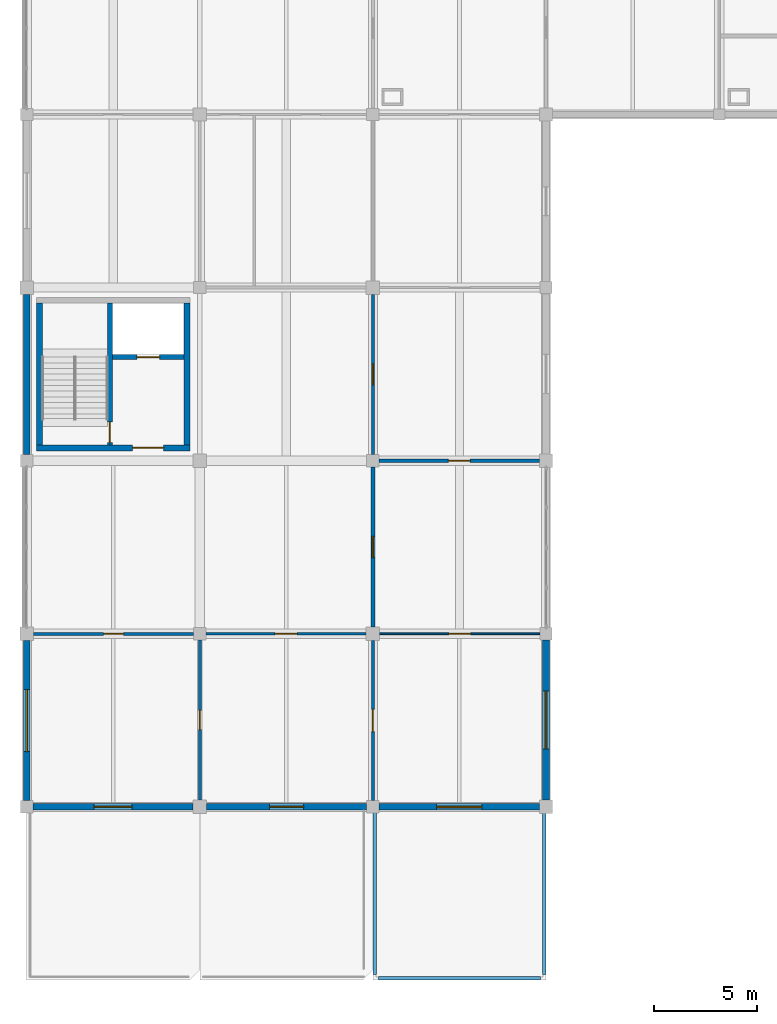
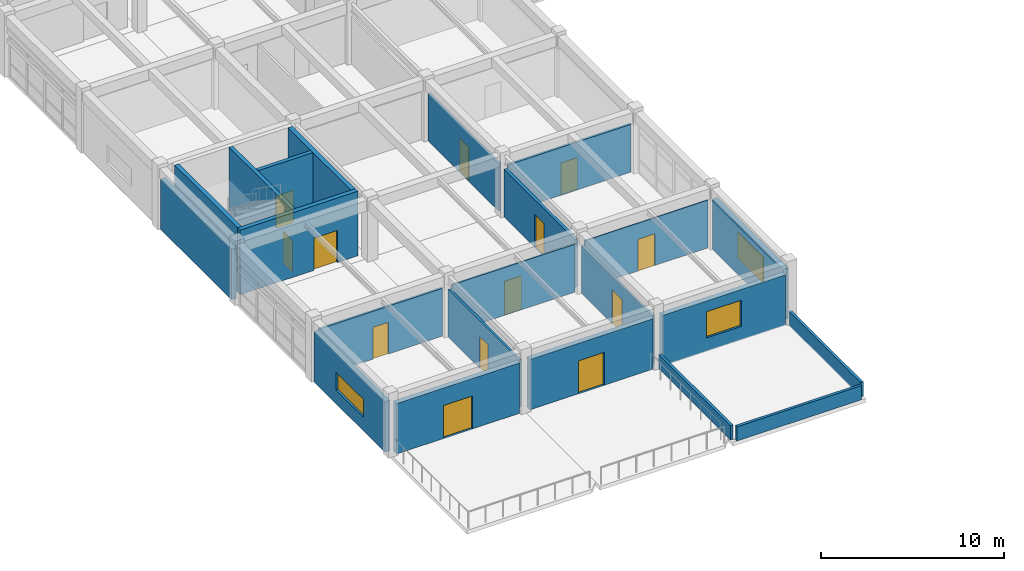
# One storey, part 60 of 74: 22 walls, 13 doors, 3 windows, 16 openings.
"""IFC4 building model written with IfcOpenShell, lengths in metres."""

from ifc_helpers import new_model, si_unit, direction, frame, frame_2d, origin, place, context, subcontext, project, spatial, rectangle, extrude, material, layer, layer_set, type_object, element, fill, save


model = new_model("IFC4")

# Units and contexts
model_context = context("Model", 3, precision=1e-05, world=origin(), true_north=direction((0.0, 1.0)))
body_context = subcontext(model_context, "Body", "Model", "MODEL_VIEW")
ifc_project = project(units=[si_unit("LENGTHUNIT", "METRE"), si_unit("AREAUNIT", "SQUARE_METRE"), si_unit("VOLUMEUNIT", "CUBIC_METRE"), si_unit("PLANEANGLEUNIT", "RADIAN"), si_unit("MASSUNIT", "GRAM", prefix="KILO")], contexts=[model_context])

# Site, building, storey
site_placement = place(None, origin())
site = spatial("IfcSite", under=ifc_project, at=site_placement, CompositionType="ELEMENT")
building_placement = place(site_placement, origin())
building = spatial("IfcBuilding", under=site, at=building_placement, Name="Porcellanite Civic Hall", CompositionType="ELEMENT")
storey_placement = place(building_placement, frame((0.0, 0.0, 14.760009765625)))
storey = spatial("IfcBuildingStorey", under=building, at=storey_placement, Name="L03", CompositionType="ELEMENT", Elevation=14.760009765625)

# Wall, opening, door
ifc_material_1 = material(Name="Concrete N40 (40 MPa)", Category="concrete")
ifc_layer_1 = layer(ifc_material_1, 0.239990234375)
ifc_layer_set_1 = layer_set([ifc_layer_1], Name="Concrete N40 (40 MPa)")
wall_type_1 = type_object("IfcWallType", Name="CW-SH240", PredefinedType="SHEAR", material=ifc_layer_set_1)
wall_1_placement = place(storey_placement, frame((12.43994140625, 34.360107421875, 0.0), z_axis=(0.0, 0.0, 1.0), x_axis=(0.0, 1.0, 0.0)))
wall_1 = element("IfcWall", 1, at=wall_1_placement, inside=storey, type_object=wall_type_1, Name="Core divider C1 L03", PredefinedType="SHEAR", context=body_context, shape_type="SweptSolid", body=[
    extrude(rectangle(XDim=6.8798828125, YDim=0.239990234375, at=frame_2d((3.43994140625, 0.0))), origin(), (0.0, 0.0, 1.0), 4.320068359375),
])
opening_1_placement = place(wall_1_placement, frame((0.1201171875, 0.0, 0.0)))
opening_1 = element("IfcOpeningElement", 2, at=opening_1_placement, cuts=wall_1, Name="Opening FD-C1-L03-ST", PredefinedType="OPENING", context=body_context, shape_type="SweptSolid", body=[
    extrude(rectangle(XDim=1.0, YDim=2.14990234375, at=frame_2d((0.5, 1.074951171875))), frame((0.0, 0.1201171875, 0.0), z_axis=(0.0, -1.0, 0.0), x_axis=(1.0, 0.0, 0.0)), (0.0, 0.0, 1.0), 0.239990234375),
])
ifc_material_2 = material(Name="Fire-rated solid-core hardwood timber", Category="wood")
door_type_1 = type_object("IfcDoorType", Name="DR-FD100", OperationType="NOTDEFINED", PredefinedType="DOOR", material=ifc_material_2)
door_1_placement = place(opening_1_placement, origin())
door_1 = element("IfcDoor", 3, at=door_1_placement, inside=storey, type_object=door_type_1, Name="Fire stair door FD-C1-L03-ST", OperationType="SINGLE_SWING_RIGHT", OverallHeight=2.14990234375, OverallWidth=1.0, PredefinedType="DOOR", context=body_context, shape_type="SweptSolid", body=[
    extrude(rectangle(XDim=1.0, YDim=2.14990234375, at=frame_2d((0.5, 1.074951171875))), frame((0.0, 0.02490234375, 0.0), z_axis=(0.0, -1.0, 0.0), x_axis=(1.0, 0.0, 0.0)), (0.0, 0.0, 1.0), 0.050048828125),
])
fill(opening_1, door_1)

wall_2_placement = place(storey_placement, frame((12.56005859375, 38.6201171875, 0.0), z_axis=(0.0, 0.0, 1.0), x_axis=(1.0, 0.0, 0.0)))
wall_2 = element("IfcWall", 4, at=wall_2_placement, inside=storey, type_object=wall_type_1, Name="Lift shaft wall C1 L03", PredefinedType="SHEAR", context=body_context, shape_type="SweptSolid", body=[
    extrude(rectangle(XDim=3.47998046875, YDim=0.239990234375, at=frame_2d((1.739990234375, 0.0))), origin(), (0.0, 0.0, 1.0), 4.320068359375),
])
opening_2_placement = place(wall_2_placement, frame((1.18994140625, 0.0, 0.0)))
opening_2 = element("IfcOpeningElement", 5, at=opening_2_placement, cuts=wall_2, Name="Opening LD-03", PredefinedType="OPENING", context=body_context, shape_type="SweptSolid", body=[
    extrude(rectangle(XDim=1.10009765625, YDim=2.14990234375, at=frame_2d((0.550048828125, 1.074951171875))), frame((0.0, 0.1201171875, 0.0), z_axis=(0.0, -1.0, 0.0), x_axis=(1.0, 0.0, 0.0)), (0.0, 0.0, 1.0), 0.239990234375),
])
ifc_material_3 = material(Name="Brushed stainless steel 316", Category="steel")
door_type_2 = type_object("IfcDoorType", Name="DR-LD110", OperationType="DOUBLE_DOOR_SLIDING", PredefinedType="DOOR", material=ifc_material_3)
door_2_placement = place(opening_2_placement, origin())
door_2 = element("IfcDoor", 6, at=door_2_placement, inside=storey, type_object=door_type_2, Name="Lift landing sliding door LD-03 L03", OperationType="DOUBLE_DOOR_SLIDING", OverallHeight=2.14990234375, OverallWidth=1.10009765625, PredefinedType="DOOR", context=body_context, shape_type="SweptSolid", body=[
    extrude(rectangle(XDim=1.10009765625, YDim=2.14990234375, at=frame_2d((0.550048828125, 1.074951171875))), frame((0.0, 0.02490234375, 0.0), z_axis=(0.0, -1.0, 0.0), x_axis=(1.0, 0.0, 0.0)), (0.0, 0.0, 1.0), 0.050048828125),
])
fill(opening_2, door_2)

ifc_material_4 = material(Name="Concrete N40 (40 MPa)", Category="concrete")
ifc_layer_2 = layer(ifc_material_4, 0.280029296875)
ifc_layer_set_2 = layer_set([ifc_layer_2], Name="Concrete N40 (40 MPa)")
wall_type_2 = type_object("IfcWallType", Name="CW-SH280", PredefinedType="SHEAR", material=ifc_layer_set_2)
wall_3_placement = place(storey_placement, frame((16.320068359375, 34.219970703125, 0.0), z_axis=(0.0, 0.0, 1.0), x_axis=(-1.0, 0.0, 0.0)))
wall_3 = element("IfcWall", 7, at=wall_3_placement, inside=storey, type_object=wall_type_2, Name="Core wall C1 L03 S", PredefinedType="SHEAR", context=body_context, shape_type="SweptSolid", body=[
    extrude(rectangle(XDim=7.440185546875, YDim=0.280029296875, at=frame_2d((3.72021484375, 0.0))), origin(), (0.0, 0.0, 1.0), 4.320068359375),
])
opening_3_placement = place(wall_3_placement, frame((1.280029296875, 0.0, 0.0)))
opening_3 = element("IfcOpeningElement", 8, at=opening_3_placement, cuts=wall_3, Name="Opening FD-C1-L03-LB", PredefinedType="OPENING", context=body_context, shape_type="SweptSolid", body=[
    extrude(rectangle(XDim=1.5, YDim=2.14990234375, at=frame_2d((0.75, 1.074951171875))), frame((0.0, 0.14013671875, 0.0), z_axis=(0.0, -1.0, 0.0), x_axis=(1.0, 0.0, 0.0)), (0.0, 0.0, 1.0), 0.280029296875),
])
ifc_material_5 = material(Name="Fire-rated steel and Georgian wired glass", Category="steel")
door_type_3 = type_object("IfcDoorType", Name="DR-FD150", OperationType="DOUBLE_DOOR_SINGLE_SWING", PredefinedType="DOOR", material=ifc_material_5)
door_3_placement = place(opening_3_placement, origin())
door_3 = element("IfcDoor", 9, at=door_3_placement, inside=storey, type_object=door_type_3, Name="Fire lobby double door FD-C1-L03-LB", OperationType="DOUBLE_DOOR_SINGLE_SWING", OverallHeight=2.14990234375, OverallWidth=1.5, PredefinedType="DOOR", context=body_context, shape_type="SweptSolid", body=[
    extrude(rectangle(XDim=1.5, YDim=2.14990234375, at=frame_2d((0.75, 1.074951171875))), frame((0.0, 0.02490234375, 0.0), z_axis=(0.0, -1.0, 0.0), x_axis=(1.0, 0.0, 0.0)), (0.0, 0.0, 1.0), 0.050048828125),
])
fill(opening_3, door_3)

# Walls
for number, where, z_axis, x_axis, name in (
    (10, (9.02001953125, 34.360107421875, 0.0), (0.0, 0.0, 1.0), (0.0, 1.0, 0.0), "Core wall C1 L03 W"),
    (11, (16.179931640625, 41.239990234375, 0.0), (0.0, 0.0, 1.0), (0.0, -1.0, 0.0), "Core wall C1 L03 E"),
):
    element("IfcWall", number, at=place(storey_placement, frame(where, z_axis=z_axis, x_axis=x_axis)), inside=storey, type_object=wall_type_2, Name=name, PredefinedType="SHEAR", context=body_context, shape_type="SweptSolid", body=[
        extrude(rectangle(XDim=6.8798828125, YDim=0.280029296875, at=frame_2d((3.43994140625, 0.0))), origin(), (0.0, 0.0, 1.0), 4.320068359375),
    ])

# Wall, opening, door
ifc_material_6 = material(Name="Precast concrete N40 (40 MPa)", Category="concrete")
ifc_layer_3 = layer(ifc_material_6, 0.320068359375)
ifc_layer_set_3 = layer_set([ifc_layer_3], Name="Precast concrete N40 (40 MPa)")
wall_type_3 = type_object("IfcWallType", Name="EW-COM320", PredefinedType="SOLIDWALL", material=ifc_layer_set_3)
wall_4_placement = place(storey_placement, frame((16.47412109375, 16.800048828125, 0.0), z_axis=(0.0, 0.0, 1.0), x_axis=(-1.0, 0.0, 0.0)))
wall_4 = element("IfcWall", 12, at=wall_4_placement, inside=storey, type_object=wall_type_3, Name="Exterior wall L03 S 2-3", PredefinedType="SOLIDWALL", context=body_context, shape_type="SweptSolid", body=[
    extrude(rectangle(XDim=7.773193359375, YDim=0.320068359375, at=frame_2d((3.88671875, 0.0))), origin(), (0.0, 0.0, 1.0), 3.369873046875),
])
opening_4_placement = place(wall_4_placement, frame((2.9619140625, 0.0, 0.0)))
opening_4 = element("IfcOpeningElement", 13, at=opening_4_placement, cuts=wall_4, Name="Opening TD-09", PredefinedType="OPENING", context=body_context, shape_type="SweptSolid", body=[
    extrude(rectangle(XDim=1.85009765625, YDim=2.199951171875, at=frame_2d((0.925048828125, 1.10009765625))), frame((0.0, 0.16015625, 0.0), z_axis=(0.0, -1.0, 0.0), x_axis=(1.0, 0.0, 0.0)), (0.0, 0.0, 1.0), 0.320068359375),
])
ifc_material_7 = material(Name="Anodised aluminium and laminated safety glass", Category="aluminium")
door_type_4 = type_object("IfcDoorType", Name="DR-TER185", OperationType="DOUBLE_DOOR_SINGLE_SWING", PredefinedType="DOOR", material=ifc_material_7)
door_4_placement = place(opening_4_placement, origin())
door_4 = element("IfcDoor", 14, at=door_4_placement, inside=storey, type_object=door_type_4, Name="Civic terrace door TD-09", OperationType="DOUBLE_DOOR_SINGLE_SWING", OverallHeight=2.199951171875, OverallWidth=1.85009765625, PredefinedType="DOOR", context=body_context, shape_type="SweptSolid", body=[
    extrude(rectangle(XDim=1.85009765625, YDim=2.199951171875, at=frame_2d((0.925048828125, 1.10009765625))), frame((0.0, 0.02490234375, 0.0), z_axis=(0.0, -1.0, 0.0), x_axis=(1.0, 0.0, 0.0)), (0.0, 0.0, 1.0), 0.050048828125),
])
fill(opening_4, door_4)

# Wall, opening, window
wall_5_placement = place(storey_placement, frame((8.39990234375, 17.10107421875, 0.0), z_axis=(0.0, 0.0, 1.0), x_axis=(0.0, 1.0, 0.0)))
wall_5 = element("IfcWall", 15, at=wall_5_placement, inside=storey, type_object=wall_type_3, Name="Exterior wall L03 W 2-3", PredefinedType="SOLIDWALL", context=body_context, shape_type="SweptSolid", body=[
    extrude(rectangle(XDim=7.77294921875, YDim=0.320068359375, at=frame_2d((3.886474609375, 0.0))), origin(), (0.0, 0.0, 1.0), 3.369873046875),
])
opening_5_placement = place(wall_5_placement, frame((2.385986328125, 0.0, 0.89990234375)))
opening_5 = element("IfcOpeningElement", 16, at=opening_5_placement, cuts=wall_5, Name="Opening W09", PredefinedType="OPENING", context=body_context, shape_type="SweptSolid", body=[
    extrude(rectangle(XDim=3.0, YDim=1.199951171875, at=frame_2d((1.5, 0.60009765625))), frame((0.0, 0.16015625, 0.0), z_axis=(0.0, -1.0, 0.0), x_axis=(1.0, 0.0, 0.0)), (0.0, 0.0, 1.0), 0.320068359375),
])
ifc_material_8 = material(Name="Cyclone laminated low-E glazing in anodised aluminium frame", Category="aluminium")
window_type_1 = type_object("IfcWindowType", Name="WN-09", PartitioningType="TRIPLE_PANEL_HORIZONTAL", PredefinedType="WINDOW", material=ifc_material_8)
window_1_placement = place(opening_5_placement, origin())
window_1 = element("IfcWindow", 17, at=window_1_placement, inside=storey, type_object=window_type_1, Name="Window W09 L03 W 2-3", OverallHeight=1.199951171875, OverallWidth=3.0, PartitioningType="SINGLE_PANEL", PredefinedType="WINDOW", context=body_context, shape_type="SweptSolid", body=[
    extrude(rectangle(XDim=3.0, YDim=1.199951171875, at=frame_2d((1.5, 0.60009765625))), frame((0.0, 0.030029296875, 0.0), z_axis=(0.0, -1.0, 0.0), x_axis=(1.0, 0.0, 0.0)), (0.0, 0.0, 1.0), 0.06005859375),
])
fill(opening_5, window_1)

# Wall
wall_6_placement = place(storey_placement, frame((8.39990234375, 33.90087890625, 0.0), z_axis=(0.0, 0.0, 1.0), x_axis=(0.0, 1.0, 0.0)))
element("IfcWall", 18, at=wall_6_placement, inside=storey, type_object=wall_type_3, Name="Exterior wall L03 W 2-5", PredefinedType="SOLIDWALL", context=body_context, shape_type="SweptSolid", body=[
    extrude(rectangle(XDim=7.773193359375, YDim=0.320068359375, at=frame_2d((3.88671875, 0.0))), origin(), (0.0, 0.0, 1.0), 3.369873046875),
])

# Wall, opening, door
wall_7_placement = place(storey_placement, frame((24.89892578125, 16.800048828125, 0.0), z_axis=(0.0, 0.0, 1.0), x_axis=(-1.0, 0.0, 0.0)))
wall_7 = element("IfcWall", 19, at=wall_7_placement, inside=storey, type_object=wall_type_3, Name="Exterior wall L03 S 3-3", PredefinedType="SOLIDWALL", context=body_context, shape_type="SweptSolid", body=[
    extrude(rectangle(XDim=7.77294921875, YDim=0.320068359375, at=frame_2d((3.886474609375, 0.0))), origin(), (0.0, 0.0, 1.0), 3.369873046875),
])
opening_6_placement = place(wall_7_placement, frame((3.06103515625, 0.0, 0.0)))
opening_6 = element("IfcOpeningElement", 20, at=opening_6_placement, cuts=wall_7, Name="Opening TD-10", PredefinedType="OPENING", context=body_context, shape_type="SweptSolid", body=[
    extrude(rectangle(XDim=1.64990234375, YDim=2.199951171875, at=frame_2d((0.824951171875, 1.10009765625))), frame((0.0, 0.16015625, 0.0), z_axis=(0.0, -1.0, 0.0), x_axis=(1.0, 0.0, 0.0)), (0.0, 0.0, 1.0), 0.320068359375),
])
ifc_material_9 = material(Name="Anodised aluminium and laminated safety glass", Category="aluminium")
door_type_5 = type_object("IfcDoorType", Name="DR-TER165", OperationType="DOUBLE_DOOR_SINGLE_SWING", PredefinedType="DOOR", material=ifc_material_9)
door_5_placement = place(opening_6_placement, origin())
door_5 = element("IfcDoor", 21, at=door_5_placement, inside=storey, type_object=door_type_5, Name="Civic terrace door TD-10", OperationType="DOUBLE_DOOR_SINGLE_SWING", OverallHeight=2.199951171875, OverallWidth=1.64990234375, PredefinedType="DOOR", context=body_context, shape_type="SweptSolid", body=[
    extrude(rectangle(XDim=1.64990234375, YDim=2.199951171875, at=frame_2d((0.824951171875, 1.10009765625))), frame((0.0, 0.02490234375, 0.0), z_axis=(0.0, -1.0, 0.0), x_axis=(1.0, 0.0, 0.0)), (0.0, 0.0, 1.0), 0.050048828125),
])
fill(opening_6, door_5)

# Wall, opening, window
wall_8_placement = place(storey_placement, frame((33.27392578125, 16.800048828125, 0.0), z_axis=(0.0, 0.0, 1.0), x_axis=(-1.0, 0.0, 0.0)))
wall_8 = element("IfcWall", 22, at=wall_8_placement, inside=storey, type_object=wall_type_3, Name="Exterior wall L03 S 4-3", PredefinedType="SOLIDWALL", context=body_context, shape_type="SweptSolid", body=[
    extrude(rectangle(XDim=7.77294921875, YDim=0.320068359375, at=frame_2d((3.886474609375, 0.0))), origin(), (0.0, 0.0, 1.0), 3.369873046875),
])
opening_7_placement = place(wall_8_placement, frame((2.785888671875, 0.0, 0.89990234375)))
opening_7 = element("IfcOpeningElement", 23, at=opening_7_placement, cuts=wall_8, Name="Opening W13", PredefinedType="OPENING", context=body_context, shape_type="SweptSolid", body=[
    extrude(rectangle(XDim=2.199951171875, YDim=1.75, at=frame_2d((1.10009765625, 0.875))), frame((0.0, 0.16015625, 0.0), z_axis=(0.0, -1.0, 0.0), x_axis=(1.0, 0.0, 0.0)), (0.0, 0.0, 1.0), 0.320068359375),
])
ifc_material_10 = material(Name="Cyclone laminated low-E glazing in anodised aluminium frame", Category="aluminium")
window_type_2 = type_object("IfcWindowType", Name="WN-13", PartitioningType="DOUBLE_PANEL_VERTICAL", PredefinedType="WINDOW", material=ifc_material_10)
window_2_placement = place(opening_7_placement, origin())
window_2 = element("IfcWindow", 24, at=window_2_placement, inside=storey, type_object=window_type_2, Name="Window W13 L03 S 4-3", OverallHeight=1.75, OverallWidth=2.199951171875, PartitioningType="SINGLE_PANEL", PredefinedType="WINDOW", context=body_context, shape_type="SweptSolid", body=[
    extrude(rectangle(XDim=2.199951171875, YDim=1.75, at=frame_2d((1.10009765625, 0.875))), frame((0.0, 0.030029296875, 0.0), z_axis=(0.0, -1.0, 0.0), x_axis=(1.0, 0.0, 0.0)), (0.0, 0.0, 1.0), 0.06005859375),
])
fill(opening_7, window_2)

wall_9_placement = place(storey_placement, frame((33.60009765625, 24.89892578125, 0.0), z_axis=(0.0, 0.0, 1.0), x_axis=(0.0, -1.0, 0.0)))
wall_9 = element("IfcWall", 25, at=wall_9_placement, inside=storey, type_object=wall_type_3, Name="Exterior wall L03 E 4-3", PredefinedType="SOLIDWALL", context=body_context, shape_type="SweptSolid", body=[
    extrude(rectangle(XDim=7.77294921875, YDim=0.320068359375, at=frame_2d((3.886474609375, 0.0))), origin(), (0.0, 0.0, 1.0), 3.369873046875),
])
opening_8_placement = place(wall_9_placement, frame((2.486083984375, 0.0, 0.89990234375)))
opening_8 = element("IfcOpeningElement", 26, at=opening_8_placement, cuts=wall_9, Name="Opening W14", PredefinedType="OPENING", context=body_context, shape_type="SweptSolid", body=[
    extrude(rectangle(XDim=2.800048828125, YDim=1.75, at=frame_2d((1.39990234375, 0.875))), frame((0.0, 0.16015625, 0.0), z_axis=(0.0, -1.0, 0.0), x_axis=(1.0, 0.0, 0.0)), (0.0, 0.0, 1.0), 0.320068359375),
])
ifc_material_11 = material(Name="Cyclone laminated low-E glazing in anodised aluminium frame", Category="aluminium")
window_type_3 = type_object("IfcWindowType", Name="WN-14", PartitioningType="TRIPLE_PANEL_VERTICAL", PredefinedType="WINDOW", material=ifc_material_11)
window_3_placement = place(opening_8_placement, origin())
window_3 = element("IfcWindow", 27, at=window_3_placement, inside=storey, type_object=window_type_3, Name="Window W14 L03 E 4-3", OverallHeight=1.75, OverallWidth=2.800048828125, PartitioningType="SINGLE_PANEL", PredefinedType="WINDOW", context=body_context, shape_type="SweptSolid", body=[
    extrude(rectangle(XDim=2.800048828125, YDim=1.75, at=frame_2d((1.39990234375, 0.875))), frame((0.0, 0.030029296875, 0.0), z_axis=(0.0, -1.0, 0.0), x_axis=(1.0, 0.0, 0.0)), (0.0, 0.0, 1.0), 0.06005859375),
])
fill(opening_8, window_3)

# Wall, opening, door
ifc_material_12 = material(Name="Insulated acoustic plasterboard on light-gauge steel studs", Category="steel")
ifc_layer_4 = layer(ifc_material_12, 0.087890625)
ifc_layer_set_4 = layer_set([ifc_layer_4], Name="Insulated acoustic plasterboard on light-gauge steel studs")
wall_type_4 = type_object("IfcWallType", Name="IW-PT088", PredefinedType="PARTITIONING", material=ifc_layer_set_4)
wall_10_placement = place(storey_placement, frame((25.527099609375, 25.199951171875, 0.0), z_axis=(0.0, 0.0, 1.0), x_axis=(1.0, 0.0, 0.0)))
wall_10 = element("IfcWall", 28, at=wall_10_placement, inside=storey, type_object=wall_type_4, Name="Partition L03 H 4-3", PredefinedType="PARTITIONING", context=body_context, shape_type="SweptSolid", body=[
    extrude(rectangle(XDim=7.77099609375, YDim=0.087890625, at=frame_2d((3.885498046875, 0.0))), origin(), (0.0, 0.0, 1.0), 3.18994140625),
])
opening_9_placement = place(wall_10_placement, frame((3.361083984375, 0.0, 0.0)))
opening_9 = element("IfcOpeningElement", 29, at=opening_9_placement, cuts=wall_10, Name="Opening D-L03-438", PredefinedType="OPENING", context=body_context, shape_type="SweptSolid", body=[
    extrude(rectangle(XDim=1.050048828125, YDim=2.1201171875, at=frame_2d((0.52490234375, 1.06005859375))), frame((0.0, 0.0439453125, 0.0), z_axis=(0.0, -1.0, 0.0), x_axis=(1.0, 0.0, 0.0)), (0.0, 0.0, 1.0), 0.087890625),
])
ifc_material_13 = material(Name="Solid-core spotted-gum timber", Category="wood")
door_type_6 = type_object("IfcDoorType", Name="DR-RM105", OperationType="NOTDEFINED", PredefinedType="DOOR", material=ifc_material_13)
door_6_placement = place(opening_9_placement, origin())
door_6 = element("IfcDoor", 30, at=door_6_placement, inside=storey, type_object=door_type_6, Name="Interior door D-L03-438", OperationType="SINGLE_SWING_RIGHT", OverallHeight=2.1201171875, OverallWidth=1.050048828125, PredefinedType="DOOR", context=body_context, shape_type="SweptSolid", body=[
    extrude(rectangle(XDim=1.050048828125, YDim=2.1201171875, at=frame_2d((0.52490234375, 1.06005859375))), frame((0.0, 0.02490234375, 0.0), z_axis=(0.0, -1.0, 0.0), x_axis=(1.0, 0.0, 0.0)), (0.0, 0.0, 1.0), 0.050048828125),
])
fill(opening_9, door_6)

ifc_material_14 = material(Name="Insulated acoustic plasterboard on light-gauge steel studs", Category="steel")
ifc_layer_5 = layer(ifc_material_14, 0.114990234375)
ifc_layer_set_5 = layer_set([ifc_layer_5], Name="Insulated acoustic plasterboard on light-gauge steel studs")
wall_type_5 = type_object("IfcWallType", Name="IW-PT115", PredefinedType="PARTITIONING", material=ifc_layer_set_5)
wall_11_placement = place(storey_placement, frame((17.10205078125, 25.199951171875, 0.0), z_axis=(0.0, 0.0, 1.0), x_axis=(1.0, 0.0, 0.0)))
wall_11 = element("IfcWall", 31, at=wall_11_placement, inside=storey, type_object=wall_type_5, Name="Partition L03 H 3-3", PredefinedType="PARTITIONING", context=body_context, shape_type="SweptSolid", body=[
    extrude(rectangle(XDim=7.77099609375, YDim=0.114990234375, at=frame_2d((3.885498046875, 0.0))), origin(), (0.0, 0.0, 1.0), 3.18994140625),
])
opening_10_placement = place(wall_11_placement, frame((3.344970703125, 0.0, 0.0)))
opening_10 = element("IfcOpeningElement", 32, at=opening_10_placement, cuts=wall_11, Name="Opening D-L03-416", PredefinedType="OPENING", context=body_context, shape_type="SweptSolid", body=[
    extrude(rectangle(XDim=1.080078125, YDim=2.25, at=frame_2d((0.5400390625, 1.125))), frame((0.0, 0.0576171875, 0.0), z_axis=(0.0, -1.0, 0.0), x_axis=(1.0, 0.0, 0.0)), (0.0, 0.0, 1.0), 0.114990234375),
])
ifc_material_15 = material(Name="Solid-core spotted-gum timber", Category="wood")
door_type_7 = type_object("IfcDoorType", Name="DR-RM108", OperationType="NOTDEFINED", PredefinedType="DOOR", material=ifc_material_15)
door_7_placement = place(opening_10_placement, origin())
door_7 = element("IfcDoor", 33, at=door_7_placement, inside=storey, type_object=door_type_7, Name="Interior door D-L03-416", OperationType="SINGLE_SWING_RIGHT", OverallHeight=2.25, OverallWidth=1.080078125, PredefinedType="DOOR", context=body_context, shape_type="SweptSolid", body=[
    extrude(rectangle(XDim=1.080078125, YDim=2.25, at=frame_2d((0.5400390625, 1.125))), frame((0.0, 0.02490234375, 0.0), z_axis=(0.0, -1.0, 0.0), x_axis=(1.0, 0.0, 0.0)), (0.0, 0.0, 1.0), 0.050048828125),
])
fill(opening_10, door_7)

ifc_material_16 = material(Name="Insulated acoustic plasterboard on light-gauge steel studs", Category="steel")
ifc_layer_6 = layer(ifc_material_16, 0.135009765625)
ifc_layer_set_6 = layer_set([ifc_layer_6], Name="Insulated acoustic plasterboard on light-gauge steel studs")
wall_type_6 = type_object("IfcWallType", Name="IW-PT135", PredefinedType="PARTITIONING", material=ifc_layer_set_6)
wall_12_placement = place(storey_placement, frame((25.199951171875, 33.902099609375, 0.0), z_axis=(0.0, 0.0, 1.0), x_axis=(0.0, 1.0, 0.0)))
wall_12 = element("IfcWall", 34, at=wall_12_placement, inside=storey, type_object=wall_type_6, Name="Partition L03 V 3-5", PredefinedType="PARTITIONING", context=body_context, shape_type="SweptSolid", body=[
    extrude(rectangle(XDim=7.77099609375, YDim=0.135009765625, at=frame_2d((3.885498046875, 0.0))), origin(), (0.0, 0.0, 1.0), 3.18994140625),
])
opening_11_placement = place(wall_12_placement, frame((3.375, 0.0, 0.0)))
opening_11 = element("IfcOpeningElement", 35, at=opening_11_placement, cuts=wall_12, Name="Opening D-L03-432", PredefinedType="OPENING", context=body_context, shape_type="SweptSolid", body=[
    extrude(rectangle(XDim=1.02001953125, YDim=2.199951171875, at=frame_2d((0.510009765625, 1.10009765625))), frame((0.0, 0.0673828125, 0.0), z_axis=(0.0, -1.0, 0.0), x_axis=(1.0, 0.0, 0.0)), (0.0, 0.0, 1.0), 0.135009765625),
])
ifc_material_17 = material(Name="Solid-core spotted-gum timber", Category="wood")
door_type_8 = type_object("IfcDoorType", Name="DR-RM102", OperationType="NOTDEFINED", PredefinedType="DOOR", material=ifc_material_17)
door_8_placement = place(opening_11_placement, origin())
door_8 = element("IfcDoor", 36, at=door_8_placement, inside=storey, type_object=door_type_8, Name="Interior door D-L03-432", OperationType="SINGLE_SWING_RIGHT", OverallHeight=2.199951171875, OverallWidth=1.02001953125, PredefinedType="DOOR", context=body_context, shape_type="SweptSolid", body=[
    extrude(rectangle(XDim=1.02001953125, YDim=2.199951171875, at=frame_2d((0.510009765625, 1.10009765625))), frame((0.0, 0.02490234375, 0.0), z_axis=(0.0, -1.0, 0.0), x_axis=(1.0, 0.0, 0.0)), (0.0, 0.0, 1.0), 0.050048828125),
])
fill(opening_11, door_8)

ifc_material_18 = material(Name="Insulated acoustic plasterboard on light-gauge steel studs", Category="steel")
ifc_layer_7 = layer(ifc_material_18, 0.14501953125)
ifc_layer_set_7 = layer_set([ifc_layer_7], Name="Insulated acoustic plasterboard on light-gauge steel studs")
wall_type_7 = type_object("IfcWallType", Name="IW-PT145", PredefinedType="PARTITIONING", material=ifc_layer_set_7)
wall_13_placement = place(storey_placement, frame((8.72705078125, 25.199951171875, 0.0), z_axis=(0.0, 0.0, 1.0), x_axis=(1.0, 0.0, 0.0)))
wall_13 = element("IfcWall", 37, at=wall_13_placement, inside=storey, type_object=wall_type_7, Name="Partition L03 H 2-3", PredefinedType="PARTITIONING", context=body_context, shape_type="SweptSolid", body=[
    extrude(rectangle(XDim=7.77099609375, YDim=0.14501953125, at=frame_2d((3.885498046875, 0.0))), origin(), (0.0, 0.0, 1.0), 3.18994140625),
])
opening_12_placement = place(wall_13_placement, frame((3.40087890625, 0.0, 0.0)))
opening_12 = element("IfcOpeningElement", 38, at=opening_12_placement, cuts=wall_13, Name="Opening D-L03-414", PredefinedType="OPENING", context=body_context, shape_type="SweptSolid", body=[
    extrude(rectangle(XDim=0.969970703125, YDim=2.1201171875, at=frame_2d((0.48486328125, 1.06005859375))), frame((0.0, 0.072509765625, 0.0), z_axis=(0.0, -1.0, 0.0), x_axis=(1.0, 0.0, 0.0)), (0.0, 0.0, 1.0), 0.14501953125),
])
ifc_material_19 = material(Name="Solid-core spotted-gum timber", Category="wood")
door_type_9 = type_object("IfcDoorType", Name="DR-RM097", OperationType="NOTDEFINED", PredefinedType="DOOR", material=ifc_material_19)
door_9_placement = place(opening_12_placement, origin())
door_9 = element("IfcDoor", 39, at=door_9_placement, inside=storey, type_object=door_type_9, Name="Interior door D-L03-414", OperationType="SINGLE_SWING_RIGHT", OverallHeight=2.1201171875, OverallWidth=0.969970703125, PredefinedType="DOOR", context=body_context, shape_type="SweptSolid", body=[
    extrude(rectangle(XDim=0.969970703125, YDim=2.1201171875, at=frame_2d((0.48486328125, 1.06005859375))), frame((0.0, 0.02490234375, 0.0), z_axis=(0.0, -1.0, 0.0), x_axis=(1.0, 0.0, 0.0)), (0.0, 0.0, 1.0), 0.050048828125),
])
fill(opening_12, door_9)

wall_14_placement = place(storey_placement, frame((16.800048828125, 17.126953125, 0.0), z_axis=(0.0, 0.0, 1.0), x_axis=(0.0, 1.0, 0.0)))
wall_14 = element("IfcWall", 40, at=wall_14_placement, inside=storey, type_object=wall_type_7, Name="Partition L03 V 2-3", PredefinedType="PARTITIONING", context=body_context, shape_type="SweptSolid", body=[
    extrude(rectangle(XDim=7.77099609375, YDim=0.14501953125, at=frame_2d((3.885498046875, 0.0))), origin(), (0.0, 0.0, 1.0), 3.18994140625),
])
opening_13_placement = place(wall_14_placement, frame((3.4208984375, 0.0, 0.0)))
opening_13 = element("IfcOpeningElement", 41, at=opening_13_placement, cuts=wall_14, Name="Opening D-L03-454", PredefinedType="OPENING", context=body_context, shape_type="SweptSolid", body=[
    extrude(rectangle(XDim=0.929931640625, YDim=2.1201171875, at=frame_2d((0.46484375, 1.06005859375))), frame((0.0, 0.072509765625, 0.0), z_axis=(0.0, -1.0, 0.0), x_axis=(1.0, 0.0, 0.0)), (0.0, 0.0, 1.0), 0.14501953125),
])
ifc_material_20 = material(Name="Solid-core spotted-gum timber", Category="wood")
door_type_10 = type_object("IfcDoorType", Name="DR-RM093", OperationType="NOTDEFINED", PredefinedType="DOOR", material=ifc_material_20)
door_10_placement = place(opening_13_placement, origin())
door_10 = element("IfcDoor", 42, at=door_10_placement, inside=storey, type_object=door_type_10, Name="Interior door D-L03-454", OperationType="SINGLE_SWING_RIGHT", OverallHeight=2.1201171875, OverallWidth=0.929931640625, PredefinedType="DOOR", context=body_context, shape_type="SweptSolid", body=[
    extrude(rectangle(XDim=0.929931640625, YDim=2.1201171875, at=frame_2d((0.46484375, 1.06005859375))), frame((0.0, 0.02490234375, 0.0), z_axis=(0.0, -1.0, 0.0), x_axis=(1.0, 0.0, 0.0)), (0.0, 0.0, 1.0), 0.050048828125),
])
fill(opening_13, door_10)

ifc_material_21 = material(Name="Insulated acoustic plasterboard on light-gauge steel studs", Category="steel")
ifc_layer_8 = layer(ifc_material_21, 0.155029296875)
ifc_layer_set_8 = layer_set([ifc_layer_8], Name="Insulated acoustic plasterboard on light-gauge steel studs")
wall_type_8 = type_object("IfcWallType", Name="IW-PT155", PredefinedType="PARTITIONING", material=ifc_layer_set_8)
wall_15_placement = place(storey_placement, frame((25.501953125, 33.60009765625, 0.0), z_axis=(0.0, 0.0, 1.0), x_axis=(1.0, 0.0, 0.0)))
wall_15 = element("IfcWall", 43, at=wall_15_placement, inside=storey, type_object=wall_type_8, Name="Partition L03 H 4-4", PredefinedType="PARTITIONING", context=body_context, shape_type="SweptSolid", body=[
    extrude(rectangle(XDim=7.77099609375, YDim=0.155029296875, at=frame_2d((3.885498046875, 0.0))), origin(), (0.0, 0.0, 1.0), 3.18994140625),
])
opening_14_placement = place(wall_15_placement, frame((3.361083984375, 0.0, 0.0)))
opening_14 = element("IfcOpeningElement", 44, at=opening_14_placement, cuts=wall_15, Name="Opening D-L03-451", PredefinedType="OPENING", context=body_context, shape_type="SweptSolid", body=[
    extrude(rectangle(XDim=1.050048828125, YDim=2.1201171875, at=frame_2d((0.52490234375, 1.06005859375))), frame((0.0, 0.07763671875, 0.0), z_axis=(0.0, -1.0, 0.0), x_axis=(1.0, 0.0, 0.0)), (0.0, 0.0, 1.0), 0.155029296875),
])
door_11_placement = place(opening_14_placement, origin())
door_11 = element("IfcDoor", 45, at=door_11_placement, inside=storey, type_object=door_type_6, Name="Interior door D-L03-451", OperationType="SINGLE_SWING_LEFT", OverallHeight=2.1201171875, OverallWidth=1.050048828125, PredefinedType="DOOR", context=body_context, shape_type="SweptSolid", body=[
    extrude(rectangle(XDim=1.050048828125, YDim=2.1201171875, at=frame_2d((0.52490234375, 1.06005859375))), frame((0.0, 0.02490234375, 0.0), z_axis=(0.0, -1.0, 0.0), x_axis=(1.0, 0.0, 0.0)), (0.0, 0.0, 1.0), 0.050048828125),
])
fill(opening_14, door_11)

ifc_material_22 = material(Name="Insulated acoustic plasterboard on light-gauge steel studs", Category="steel")
ifc_layer_9 = layer(ifc_material_22, 0.18505859375)
ifc_layer_set_9 = layer_set([ifc_layer_9], Name="Insulated acoustic plasterboard on light-gauge steel studs")
wall_type_9 = type_object("IfcWallType", Name="IW-PT185", PredefinedType="PARTITIONING", material=ifc_layer_set_9)
wall_16_placement = place(storey_placement, frame((25.199951171875, 25.527099609375, 0.0), z_axis=(0.0, 0.0, 1.0), x_axis=(0.0, 1.0, 0.0)))
wall_16 = element("IfcWall", 46, at=wall_16_placement, inside=storey, type_object=wall_type_9, Name="Partition L03 V 3-4", PredefinedType="PARTITIONING", context=body_context, shape_type="SweptSolid", body=[
    extrude(rectangle(XDim=7.77099609375, YDim=0.18505859375, at=frame_2d((3.885498046875, 0.0))), origin(), (0.0, 0.0, 1.0), 3.18994140625),
])
opening_15_placement = place(wall_16_placement, frame((3.364990234375, 0.0, 0.0)))
opening_15 = element("IfcOpeningElement", 47, at=opening_15_placement, cuts=wall_16, Name="Opening D-L03-431", PredefinedType="OPENING", context=body_context, shape_type="SweptSolid", body=[
    extrude(rectangle(XDim=1.0400390625, YDim=2.199951171875, at=frame_2d((0.52001953125, 1.10009765625))), frame((0.0, 0.092529296875, 0.0), z_axis=(0.0, -1.0, 0.0), x_axis=(1.0, 0.0, 0.0)), (0.0, 0.0, 1.0), 0.18505859375),
])
ifc_material_23 = material(Name="Solid-core spotted-gum timber", Category="wood")
door_type_11 = type_object("IfcDoorType", Name="DR-RM104", OperationType="NOTDEFINED", PredefinedType="DOOR", material=ifc_material_23)
door_12_placement = place(opening_15_placement, origin())
door_12 = element("IfcDoor", 48, at=door_12_placement, inside=storey, type_object=door_type_11, Name="Interior door D-L03-431", OperationType="SINGLE_SWING_LEFT", OverallHeight=2.199951171875, OverallWidth=1.0400390625, PredefinedType="DOOR", context=body_context, shape_type="SweptSolid", body=[
    extrude(rectangle(XDim=1.0400390625, YDim=2.199951171875, at=frame_2d((0.52001953125, 1.10009765625))), frame((0.0, 0.02490234375, 0.0), z_axis=(0.0, -1.0, 0.0), x_axis=(1.0, 0.0, 0.0)), (0.0, 0.0, 1.0), 0.050048828125),
])
fill(opening_15, door_12)

ifc_material_24 = material(Name="Acoustic timber-veneered operable panel system", Category="wood")
ifc_layer_10 = layer(ifc_material_24, 0.1298828125)
ifc_layer_set_10 = layer_set([ifc_layer_10], Name="Acoustic timber-veneered operable panel system")
wall_type_10 = type_object("IfcWallType", Name="MW-OP130", PredefinedType="MOVABLE", material=ifc_layer_set_10)
wall_17_placement = place(storey_placement, frame((25.199951171875, 17.10205078125, 0.0), z_axis=(0.0, 0.0, 1.0), x_axis=(0.0, 1.0, 0.0)))
wall_17 = element("IfcWall", 49, at=wall_17_placement, inside=storey, type_object=wall_type_10, Name="Partition L03 V 3-3", PredefinedType="MOVABLE", context=body_context, shape_type="SweptSolid", body=[
    extrude(rectangle(XDim=7.77099609375, YDim=0.1298828125, at=frame_2d((3.885498046875, 0.0))), origin(), (0.0, 0.0, 1.0), 3.18994140625),
])
opening_16_placement = place(wall_17_placement, frame((3.344970703125, 0.0, 0.0)))
opening_16 = element("IfcOpeningElement", 50, at=opening_16_placement, cuts=wall_17, Name="Opening D-L03-455", PredefinedType="OPENING", context=body_context, shape_type="SweptSolid", body=[
    extrude(rectangle(XDim=1.080078125, YDim=2.25, at=frame_2d((0.5400390625, 1.125))), frame((0.0, 0.06494140625, 0.0), z_axis=(0.0, -1.0, 0.0), x_axis=(1.0, 0.0, 0.0)), (0.0, 0.0, 1.0), 0.1298828125),
])
door_13_placement = place(opening_16_placement, origin())
door_13 = element("IfcDoor", 51, at=door_13_placement, inside=storey, type_object=door_type_7, Name="Interior door D-L03-455", OperationType="SINGLE_SWING_LEFT", OverallHeight=2.25, OverallWidth=1.080078125, PredefinedType="DOOR", context=body_context, shape_type="SweptSolid", body=[
    extrude(rectangle(XDim=1.080078125, YDim=2.25, at=frame_2d((0.5400390625, 1.125))), frame((0.0, 0.02490234375, 0.0), z_axis=(0.0, -1.0, 0.0), x_axis=(1.0, 0.0, 0.0)), (0.0, 0.0, 1.0), 0.050048828125),
])
fill(opening_16, door_13)

# Walls
ifc_material_25 = material(Name="Precast concrete N40 (40 MPa)", Category="concrete")
ifc_layer_11 = layer(ifc_material_25, 0.169921875)
ifc_layer_set_11 = layer_set([ifc_layer_11], Name="Precast concrete N40 (40 MPa)")
wall_type_11 = type_object("IfcWallType", Name="WP-PAR5", PredefinedType="PARAPET", material=ifc_layer_set_11)
for number, where, z_axis, x_axis, name in (
    (52, (33.340087890625, 8.485107421875, 0.0), (0.0, 0.0, 1.0), (-1.0, 0.0, 0.0), "Roof parapet L03 S 4-2"),
    (53, (25.284912109375, 8.659912109375, 0.0), (0.0, 0.0, 1.0), (0.0, 1.0, 0.0), "Roof parapet L03 W 4-2"),
    (54, (33.514892578125, 16.5400390625, 0.0), (0.0, 0.0, 1.0), (0.0, -1.0, 0.0), "Roof parapet L03 E 4-2"),
):
    element("IfcWall", number, at=place(storey_placement, frame(where, z_axis=z_axis, x_axis=x_axis)), inside=storey, type_object=wall_type_11, Name=name, PredefinedType="PARAPET", context=body_context, shape_type="SweptSolid", body=[
        extrude(rectangle(XDim=7.880126953125, YDim=0.169921875, at=frame_2d((3.93994140625, 0.0))), origin(), (0.0, 0.0, 1.0), 0.949951171875),
    ])

save(model, "model.ifc")
